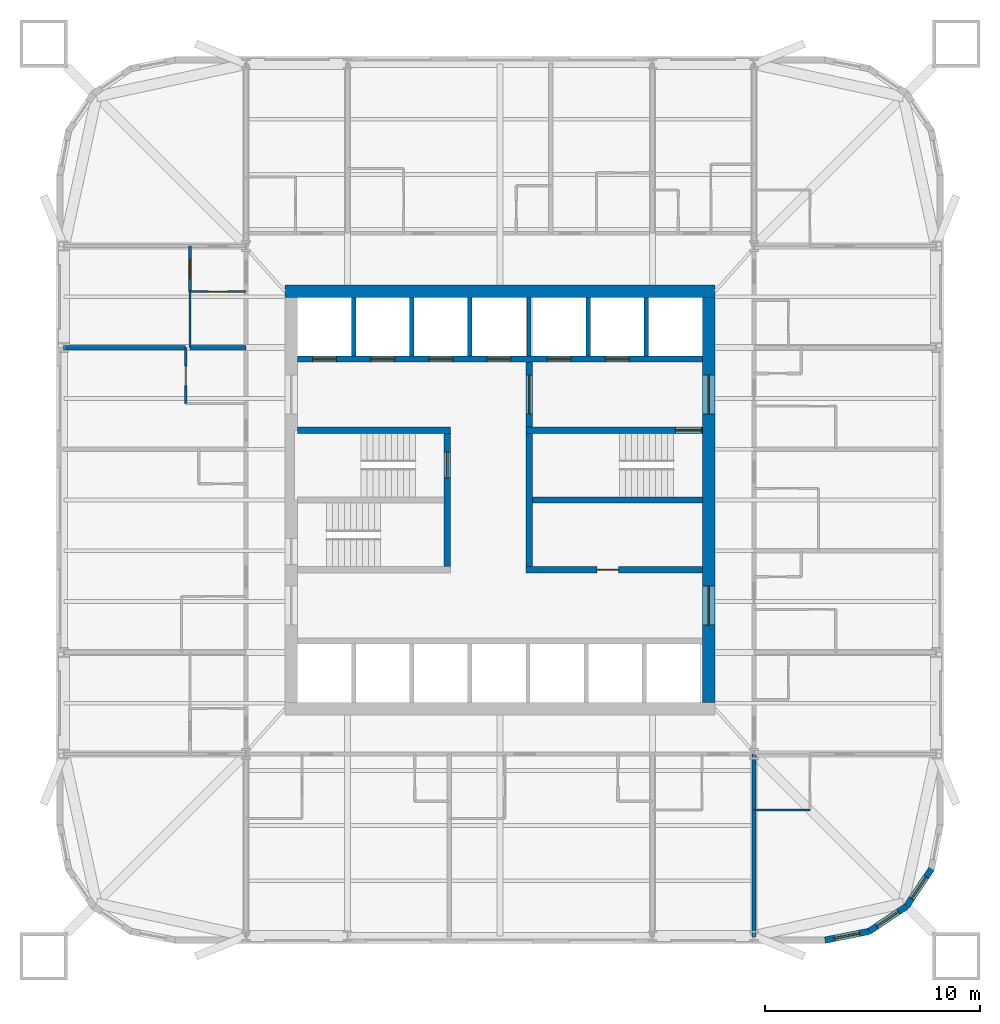
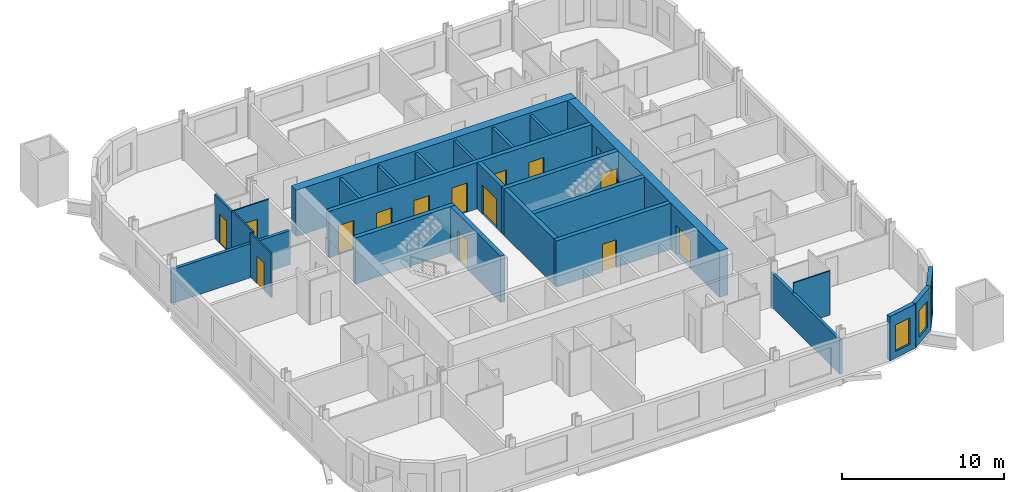
# One storey, part 4 of 8: 26 walls, 15 doors, 3 windows, 18 openings.
"""IFC4 building model written with IfcOpenShell, lengths in metres."""

from ifc_helpers import new_model, si_unit, direction, frame, frame_2d, origin, place, context, subcontext, project, spatial, rectangle, extrude, material, layer, layer_set, type_object, element, fill, save


model = new_model("IFC4")

# Units and contexts
model_context = context("Model", 3, precision=1e-05, world=origin(), true_north=direction((0.0, 1.0)))
body_context = subcontext(model_context, "Body", "Model", "MODEL_VIEW")
ifc_project = project(units=[si_unit("LENGTHUNIT", "METRE"), si_unit("AREAUNIT", "SQUARE_METRE"), si_unit("VOLUMEUNIT", "CUBIC_METRE"), si_unit("PLANEANGLEUNIT", "RADIAN"), si_unit("MASSUNIT", "GRAM", prefix="KILO")], contexts=[model_context])

# Site, building, storey
site_placement = place(None, origin())
site = spatial("IfcSite", under=ifc_project, at=site_placement, CompositionType="ELEMENT")
building_placement = place(site_placement, origin())
building = spatial("IfcBuilding", under=site, at=building_placement, Name="Turquesa Mirador Hotel Tower", CompositionType="ELEMENT")
storey_placement = place(building_placement, frame((0.0, 0.0, 103.89990234375)))
storey = spatial("IfcBuildingStorey", under=building, at=storey_placement, Name="L27", CompositionType="ELEMENT", Elevation=103.89990234375)

# Wall
ifc_material_1 = material(Name="Gypsum board on steel studs", Category="steel")
ifc_layer_1 = layer(ifc_material_1, 0.10009765625)
ifc_layer_set_1 = layer_set([ifc_layer_1], Name="BATHROOM WALL 100")
wall_type_1 = type_object("IfcWallType", Name="BATHROOM WALL 100", PredefinedType="PARTITIONING", material=ifc_layer_set_1)
wall_1_placement = place(storey_placement, frame((66.800048828125, 30.60009765625, 0.0), z_axis=(0.0, 0.0, 1.0), x_axis=(1.0, 0.0, 0.0)))
element("IfcWall", 1, at=wall_1_placement, inside=storey, type_object=wall_type_1, Name="Partition L27 008", PredefinedType="PARTITIONING", context=body_context, shape_type="SweptSolid", body=[
    extrude(rectangle(XDim=2.599853515625, YDim=0.10009765625, at=frame_2d((1.2998046875, 0.0))), origin(), (0.0, 0.0, 1.0), 3.330078125),
])

# Wall, opening, door
wall_2_placement = place(storey_placement, frame((40.60009765625, 54.679931640625, 0.0), z_axis=(0.0, 0.0, 1.0), x_axis=(1.0, 0.0, 0.0)))
wall_2 = element("IfcWall", 2, at=wall_2_placement, inside=storey, type_object=wall_type_1, Name="Partition L27 041", PredefinedType="PARTITIONING", context=body_context, shape_type="SweptSolid", body=[
    extrude(rectangle(XDim=2.599853515625, YDim=0.10009765625, at=frame_2d((1.2998046875, 0.0))), origin(), (0.0, 0.0, 1.0), 3.330078125),
])
opening_1_placement = place(wall_2_placement, frame((0.85009765625, 0.0, 0.0)))
opening_1 = element("IfcOpeningElement", 3, at=opening_1_placement, cuts=wall_2, Name="Opening D02", PredefinedType="OPENING", context=body_context, shape_type="SweptSolid", body=[
    extrude(rectangle(XDim=0.89990234375, YDim=2.10009765625, at=frame_2d((0.449951171875, 1.050048828125))), frame((0.0, 0.06005859375, 0.0), z_axis=(0.0, -1.0, 0.0), x_axis=(1.0, 0.0, 0.0)), (0.0, 0.0, 1.0), 0.1201171875),
])
ifc_material_2 = material(Name="Timber veneered door", Category="wood")
door_type_1 = type_object("IfcDoorType", Name="DOOR 900X2100 EN-SUITE", OperationType="SINGLE_SWING_RIGHT", PredefinedType="DOOR", material=ifc_material_2)
door_1_placement = place(opening_1_placement, origin())
door_1 = element("IfcDoor", 4, at=door_1_placement, inside=storey, type_object=door_type_1, Name="Door 2714B", OperationType="SINGLE_SWING_RIGHT", OverallHeight=2.10009765625, OverallWidth=0.89990234375, PredefinedType="DOOR", context=body_context, shape_type="SweptSolid", body=[
    extrude(rectangle(XDim=0.89990234375, YDim=2.10009765625, at=frame_2d((0.449951171875, 1.050048828125))), frame((0.0, 0.02490234375, 0.0), z_axis=(0.0, -1.0, 0.0), x_axis=(1.0, 0.0, 0.0)), (0.0, 0.0, 1.0), 0.050048828125),
])
fill(opening_1, door_1)

# Wall
wall_3_placement = place(storey_placement, frame((40.60009765625, 52.080078125, 0.0), z_axis=(0.0, 0.0, 1.0), x_axis=(0.0, 1.0, 0.0)))
element("IfcWall", 5, at=wall_3_placement, inside=storey, type_object=wall_type_1, Name="Partition L27 047", PredefinedType="PARTITIONING", context=body_context, shape_type="SweptSolid", body=[
    extrude(rectangle(XDim=2.599853515625, YDim=0.10009765625, at=frame_2d((1.2998046875, 0.0))), origin(), (0.0, 0.0, 1.0), 3.330078125),
])

# Wall, opening, door
wall_4_placement = place(storey_placement, frame((40.39990234375, 49.47998046875, 0.0), z_axis=(0.0, 0.0, 1.0), x_axis=(0.0, 1.0, 0.0)))
wall_4 = element("IfcWall", 6, at=wall_4_placement, inside=storey, type_object=wall_type_1, Name="Partition L27 050", PredefinedType="PARTITIONING", context=body_context, shape_type="SweptSolid", body=[
    extrude(rectangle(XDim=2.60009765625, YDim=0.10009765625, at=frame_2d((1.300048828125, 0.0))), origin(), (0.0, 0.0, 1.0), 3.330078125),
])
opening_2_placement = place(wall_4_placement, frame((0.85009765625, 0.0, 0.0)))
opening_2 = element("IfcOpeningElement", 7, at=opening_2_placement, cuts=wall_4, Name="Opening D02", PredefinedType="OPENING", context=body_context, shape_type="SweptSolid", body=[
    extrude(rectangle(XDim=0.89990234375, YDim=2.10009765625, at=frame_2d((0.449951171875, 1.050048828125))), frame((0.0, 0.06005859375, 0.0), z_axis=(0.0, -1.0, 0.0), x_axis=(1.0, 0.0, 0.0)), (0.0, 0.0, 1.0), 0.1201171875),
])
door_2_placement = place(opening_2_placement, origin())
door_2 = element("IfcDoor", 8, at=door_2_placement, inside=storey, type_object=door_type_1, Name="Door 2712B", OperationType="SINGLE_SWING_RIGHT", OverallHeight=2.10009765625, OverallWidth=0.89990234375, PredefinedType="DOOR", context=body_context, shape_type="SweptSolid", body=[
    extrude(rectangle(XDim=0.89990234375, YDim=2.10009765625, at=frame_2d((0.449951171875, 1.050048828125))), frame((0.0, 0.02490234375, 0.0), z_axis=(0.0, -1.0, 0.0), x_axis=(1.0, 0.0, 0.0)), (0.0, 0.0, 1.0), 0.050048828125),
])
fill(opening_2, door_2)

# Wall, openings, doors
ifc_material_3 = material(Name="Concrete C50/60", Category="concrete")
ifc_layer_2 = layer(ifc_material_3, 0.300048828125)
ifc_layer_set_2 = layer_set([ifc_layer_2], Name="CORE INNER WALL 300")
wall_type_2 = type_object("IfcWallType", Name="CORE INNER WALL 300", PredefinedType="SHEAR", material=ifc_layer_set_2)
wall_5_placement = place(storey_placement, frame((45.60009765625, 51.550048828125, 0.0), z_axis=(0.0, 0.0, 1.0), x_axis=(1.0, 0.0, 0.0)))
wall_5 = element("IfcWall", 9, at=wall_5_placement, inside=storey, type_object=wall_type_2, Name="Core wall NL", PredefinedType="SHEAR", context=body_context, shape_type="SweptSolid", body=[
    extrude(rectangle(XDim=18.7998046875, YDim=0.300048828125, at=frame_2d((9.39990234375, 0.0))), origin(), (0.0, 0.0, 1.0), 3.5),
])
opening_3_placement = place(wall_5_placement, frame((0.699951171875, 0.0, 0.0)))
opening_3 = element("IfcOpeningElement", 10, at=opening_3_placement, cuts=wall_5, Name="Opening LD", PredefinedType="OPENING", context=body_context, shape_type="SweptSolid", body=[
    extrude(rectangle(XDim=1.10009765625, YDim=2.199951171875, at=frame_2d((0.550048828125, 1.10009765625))), frame((0.0, 0.159912109375, 0.0), z_axis=(0.0, -1.0, 0.0), x_axis=(1.0, 0.0, 0.0)), (0.0, 0.0, 1.0), 0.320068359375),
])
opening_4_placement = place(wall_5_placement, frame((3.39990234375, 0.0, 0.0)))
opening_4 = element("IfcOpeningElement", 11, at=opening_4_placement, cuts=wall_5, Name="Opening LD", PredefinedType="OPENING", context=body_context, shape_type="SweptSolid", body=[
    extrude(rectangle(XDim=1.10009765625, YDim=2.199951171875, at=frame_2d((0.550048828125, 1.10009765625))), frame((0.0, 0.159912109375, 0.0), z_axis=(0.0, -1.0, 0.0), x_axis=(1.0, 0.0, 0.0)), (0.0, 0.0, 1.0), 0.320068359375),
])
opening_5_placement = place(wall_5_placement, frame((6.10009765625, 0.0, 0.0)))
opening_5 = element("IfcOpeningElement", 12, at=opening_5_placement, cuts=wall_5, Name="Opening LD", PredefinedType="OPENING", context=body_context, shape_type="SweptSolid", body=[
    extrude(rectangle(XDim=1.10009765625, YDim=2.199951171875, at=frame_2d((0.550048828125, 1.10009765625))), frame((0.0, 0.159912109375, 0.0), z_axis=(0.0, -1.0, 0.0), x_axis=(1.0, 0.0, 0.0)), (0.0, 0.0, 1.0), 0.320068359375),
])
opening_6_placement = place(wall_5_placement, frame((8.800048828125, 0.0, 0.0)))
opening_6 = element("IfcOpeningElement", 13, at=opening_6_placement, cuts=wall_5, Name="Opening LD", PredefinedType="OPENING", context=body_context, shape_type="SweptSolid", body=[
    extrude(rectangle(XDim=1.10009765625, YDim=2.199951171875, at=frame_2d((0.550048828125, 1.10009765625))), frame((0.0, 0.159912109375, 0.0), z_axis=(0.0, -1.0, 0.0), x_axis=(1.0, 0.0, 0.0)), (0.0, 0.0, 1.0), 0.320068359375),
])
opening_7_placement = place(wall_5_placement, frame((11.60009765625, 0.0, 0.0)))
opening_7 = element("IfcOpeningElement", 14, at=opening_7_placement, cuts=wall_5, Name="Opening LD", PredefinedType="OPENING", context=body_context, shape_type="SweptSolid", body=[
    extrude(rectangle(XDim=1.10009765625, YDim=2.199951171875, at=frame_2d((0.550048828125, 1.10009765625))), frame((0.0, 0.159912109375, 0.0), z_axis=(0.0, -1.0, 0.0), x_axis=(1.0, 0.0, 0.0)), (0.0, 0.0, 1.0), 0.320068359375),
])
opening_8_placement = place(wall_5_placement, frame((14.300048828125, 0.0, 0.0)))
opening_8 = element("IfcOpeningElement", 15, at=opening_8_placement, cuts=wall_5, Name="Opening LD", PredefinedType="OPENING", context=body_context, shape_type="SweptSolid", body=[
    extrude(rectangle(XDim=1.10009765625, YDim=2.199951171875, at=frame_2d((0.550048828125, 1.10009765625))), frame((0.0, 0.159912109375, 0.0), z_axis=(0.0, -1.0, 0.0), x_axis=(1.0, 0.0, 0.0)), (0.0, 0.0, 1.0), 0.320068359375),
])
ifc_material_4 = material(Name="Stainless steel lift landing door", Category="steel")
door_type_2 = type_object("IfcDoorType", Name="LIFT LANDING DOOR 1100X2200", OperationType="SLIDING_TO_LEFT", PredefinedType="DOOR", material=ifc_material_4)
door_3_placement = place(opening_3_placement, origin())
door_3 = element("IfcDoor", 16, at=door_3_placement, inside=storey, type_object=door_type_2, Name="Lift A1 landing door", OperationType="SLIDING_TO_LEFT", OverallHeight=2.199951171875, OverallWidth=1.10009765625, PredefinedType="DOOR", context=body_context, shape_type="SweptSolid", body=[
    extrude(rectangle(XDim=1.10009765625, YDim=2.199951171875, at=frame_2d((0.550048828125, 1.10009765625))), frame((0.0, 0.02490234375, 0.0), z_axis=(0.0, -1.0, 0.0), x_axis=(1.0, 0.0, 0.0)), (0.0, 0.0, 1.0), 0.050048828125),
])
fill(opening_3, door_3)
door_4_placement = place(opening_4_placement, origin())
door_4 = element("IfcDoor", 17, at=door_4_placement, inside=storey, type_object=door_type_2, Name="Lift A2 landing door", OperationType="SLIDING_TO_LEFT", OverallHeight=2.199951171875, OverallWidth=1.10009765625, PredefinedType="DOOR", context=body_context, shape_type="SweptSolid", body=[
    extrude(rectangle(XDim=1.10009765625, YDim=2.199951171875, at=frame_2d((0.550048828125, 1.10009765625))), frame((0.0, 0.02490234375, 0.0), z_axis=(0.0, -1.0, 0.0), x_axis=(1.0, 0.0, 0.0)), (0.0, 0.0, 1.0), 0.050048828125),
])
fill(opening_4, door_4)
door_5_placement = place(opening_5_placement, origin())
door_5 = element("IfcDoor", 18, at=door_5_placement, inside=storey, type_object=door_type_2, Name="Lift A3 landing door", OperationType="SLIDING_TO_LEFT", OverallHeight=2.199951171875, OverallWidth=1.10009765625, PredefinedType="DOOR", context=body_context, shape_type="SweptSolid", body=[
    extrude(rectangle(XDim=1.10009765625, YDim=2.199951171875, at=frame_2d((0.550048828125, 1.10009765625))), frame((0.0, 0.02490234375, 0.0), z_axis=(0.0, -1.0, 0.0), x_axis=(1.0, 0.0, 0.0)), (0.0, 0.0, 1.0), 0.050048828125),
])
fill(opening_5, door_5)
door_6_placement = place(opening_6_placement, origin())
door_6 = element("IfcDoor", 19, at=door_6_placement, inside=storey, type_object=door_type_2, Name="Lift A4 landing door", OperationType="SLIDING_TO_LEFT", OverallHeight=2.199951171875, OverallWidth=1.10009765625, PredefinedType="DOOR", context=body_context, shape_type="SweptSolid", body=[
    extrude(rectangle(XDim=1.10009765625, YDim=2.199951171875, at=frame_2d((0.550048828125, 1.10009765625))), frame((0.0, 0.02490234375, 0.0), z_axis=(0.0, -1.0, 0.0), x_axis=(1.0, 0.0, 0.0)), (0.0, 0.0, 1.0), 0.050048828125),
])
fill(opening_6, door_6)
door_7_placement = place(opening_7_placement, origin())
door_7 = element("IfcDoor", 20, at=door_7_placement, inside=storey, type_object=door_type_2, Name="Lift S1 landing door", OperationType="SLIDING_TO_LEFT", OverallHeight=2.199951171875, OverallWidth=1.10009765625, PredefinedType="DOOR", context=body_context, shape_type="SweptSolid", body=[
    extrude(rectangle(XDim=1.10009765625, YDim=2.199951171875, at=frame_2d((0.550048828125, 1.10009765625))), frame((0.0, 0.02490234375, 0.0), z_axis=(0.0, -1.0, 0.0), x_axis=(1.0, 0.0, 0.0)), (0.0, 0.0, 1.0), 0.050048828125),
])
fill(opening_7, door_7)
door_8_placement = place(opening_8_placement, origin())
door_8 = element("IfcDoor", 21, at=door_8_placement, inside=storey, type_object=door_type_2, Name="Lift S2 landing door", OperationType="SLIDING_TO_LEFT", OverallHeight=2.199951171875, OverallWidth=1.10009765625, PredefinedType="DOOR", context=body_context, shape_type="SweptSolid", body=[
    extrude(rectangle(XDim=1.10009765625, YDim=2.199951171875, at=frame_2d((0.550048828125, 1.10009765625))), frame((0.0, 0.02490234375, 0.0), z_axis=(0.0, -1.0, 0.0), x_axis=(1.0, 0.0, 0.0)), (0.0, 0.0, 1.0), 0.050048828125),
])
fill(opening_8, door_8)

# Wall
wall_6_placement = place(storey_placement, frame((45.60009765625, 48.25, 0.0), z_axis=(0.0, 0.0, 1.0), x_axis=(1.0, 0.0, 0.0)))
element("IfcWall", 22, at=wall_6_placement, inside=storey, type_object=wall_type_2, Name="Core wall MN-W", PredefinedType="SHEAR", context=body_context, shape_type="SweptSolid", body=[
    extrude(rectangle(XDim=7.099853515625, YDim=0.300048828125, at=frame_2d((3.5498046875, 0.0))), origin(), (0.0, 0.0, 1.0), 3.5),
])

# Wall, opening, door
wall_7_placement = place(storey_placement, frame((56.199951171875, 48.25, 0.0), z_axis=(0.0, 0.0, 1.0), x_axis=(1.0, 0.0, 0.0)))
wall_7 = element("IfcWall", 23, at=wall_7_placement, inside=storey, type_object=wall_type_2, Name="Core wall MN-E", PredefinedType="SHEAR", context=body_context, shape_type="SweptSolid", body=[
    extrude(rectangle(XDim=8.199951171875, YDim=0.300048828125, at=frame_2d((4.10009765625, 0.0))), origin(), (0.0, 0.0, 1.0), 3.5),
])
opening_9_placement = place(wall_7_placement, frame((6.949951171875, 0.0, 0.0)))
opening_9 = element("IfcOpeningElement", 24, at=opening_9_placement, cuts=wall_7, Name="Opening D03", PredefinedType="OPENING", context=body_context, shape_type="SweptSolid", body=[
    extrude(rectangle(XDim=1.199951171875, YDim=2.199951171875, at=frame_2d((0.60009765625, 1.10009765625))), frame((0.0, 0.159912109375, 0.0), z_axis=(0.0, -1.0, 0.0), x_axis=(1.0, 0.0, 0.0)), (0.0, 0.0, 1.0), 0.320068359375),
])
ifc_material_5 = material(Name="Steel fire door", Category="steel")
door_type_3 = type_object("IfcDoorType", Name="DOOR 1200X2200 STAIR", OperationType="SINGLE_SWING_LEFT", PredefinedType="DOOR", material=ifc_material_5)
door_9_placement = place(opening_9_placement, origin())
door_9 = element("IfcDoor", 25, at=door_9_placement, inside=storey, type_object=door_type_3, Name="Stair ST3 door", OperationType="SINGLE_SWING_LEFT", OverallHeight=2.199951171875, OverallWidth=1.199951171875, PredefinedType="DOOR", context=body_context, shape_type="SweptSolid", body=[
    extrude(rectangle(XDim=1.199951171875, YDim=2.199951171875, at=frame_2d((0.60009765625, 1.10009765625))), frame((0.0, 0.02490234375, 0.0), z_axis=(0.0, -1.0, 0.0), x_axis=(1.0, 0.0, 0.0)), (0.0, 0.0, 1.0), 0.050048828125),
])
fill(opening_9, door_9)

wall_8_placement = place(storey_placement, frame((56.199951171875, 41.75, 0.0), z_axis=(0.0, 0.0, 1.0), x_axis=(1.0, 0.0, 0.0)))
wall_8 = element("IfcWall", 26, at=wall_8_placement, inside=storey, type_object=wall_type_2, Name="Core wall MS-E", PredefinedType="SHEAR", context=body_context, shape_type="SweptSolid", body=[
    extrude(rectangle(XDim=8.199951171875, YDim=0.300048828125, at=frame_2d((4.10009765625, 0.0))), origin(), (0.0, 0.0, 1.0), 3.5),
])
opening_10_placement = place(wall_8_placement, frame((3.300048828125, 0.0, 0.0)))
opening_10 = element("IfcOpeningElement", 27, at=opening_10_placement, cuts=wall_8, Name="Opening D05", PredefinedType="OPENING", context=body_context, shape_type="SweptSolid", body=[
    extrude(rectangle(XDim=1.0, YDim=2.10009765625, at=frame_2d((0.5, 1.050048828125))), frame((0.0, 0.159912109375, 0.0), z_axis=(0.0, -1.0, 0.0), x_axis=(1.0, 0.0, 0.0)), (0.0, 0.0, 1.0), 0.320068359375),
])
ifc_material_6 = material(Name="Steel fire door", Category="steel")
door_type_4 = type_object("IfcDoorType", Name="DOOR 1000X2100 SERVICE", OperationType="SINGLE_SWING_LEFT", PredefinedType="DOOR", material=ifc_material_6)
door_10_placement = place(opening_10_placement, origin())
door_10 = element("IfcDoor", 28, at=door_10_placement, inside=storey, type_object=door_type_4, Name="Housekeeping room door", OperationType="SINGLE_SWING_LEFT", OverallHeight=2.10009765625, OverallWidth=1.0, PredefinedType="DOOR", context=body_context, shape_type="SweptSolid", body=[
    extrude(rectangle(XDim=1.0, YDim=2.10009765625, at=frame_2d((0.5, 1.050048828125))), frame((0.0, 0.02490234375, 0.0), z_axis=(0.0, -1.0, 0.0), x_axis=(1.0, 0.0, 0.0)), (0.0, 0.0, 1.0), 0.050048828125),
])
fill(opening_10, door_10)

wall_9_placement = place(storey_placement, frame((52.550048828125, 41.89990234375, 0.0), z_axis=(0.0, 0.0, 1.0), x_axis=(0.0, 1.0, 0.0)))
wall_9 = element("IfcWall", 29, at=wall_9_placement, inside=storey, type_object=wall_type_2, Name="Core wall PW", PredefinedType="SHEAR", context=body_context, shape_type="SweptSolid", body=[
    extrude(rectangle(XDim=6.2001953125, YDim=0.300048828125, at=frame_2d((3.10009765625, 0.0))), origin(), (0.0, 0.0, 1.0), 3.5),
])
opening_11_placement = place(wall_9_placement, frame((4.125, 0.0, 0.0)))
opening_11 = element("IfcOpeningElement", 30, at=opening_11_placement, cuts=wall_9, Name="Opening D03", PredefinedType="OPENING", context=body_context, shape_type="SweptSolid", body=[
    extrude(rectangle(XDim=1.199951171875, YDim=2.199951171875, at=frame_2d((0.60009765625, 1.10009765625))), frame((0.0, 0.159912109375, 0.0), z_axis=(0.0, -1.0, 0.0), x_axis=(1.0, 0.0, 0.0)), (0.0, 0.0, 1.0), 0.320068359375),
])
door_11_placement = place(opening_11_placement, origin())
door_11 = element("IfcDoor", 31, at=door_11_placement, inside=storey, type_object=door_type_3, Name="Stair ST1 door", OperationType="SINGLE_SWING_LEFT", OverallHeight=2.199951171875, OverallWidth=1.199951171875, PredefinedType="DOOR", context=body_context, shape_type="SweptSolid", body=[
    extrude(rectangle(XDim=1.199951171875, YDim=2.199951171875, at=frame_2d((0.60009765625, 1.10009765625))), frame((0.0, 0.02490234375, 0.0), z_axis=(0.0, -1.0, 0.0), x_axis=(1.0, 0.0, 0.0)), (0.0, 0.0, 1.0), 0.050048828125),
])
fill(opening_11, door_11)

wall_10_placement = place(storey_placement, frame((56.35009765625, 41.89990234375, 0.0), z_axis=(0.0, 0.0, 1.0), x_axis=(0.0, 1.0, 0.0)))
wall_10 = element("IfcWall", 32, at=wall_10_placement, inside=storey, type_object=wall_type_2, Name="Core wall PE", PredefinedType="SHEAR", context=body_context, shape_type="SweptSolid", body=[
    extrude(rectangle(XDim=9.5, YDim=0.300048828125, at=frame_2d((4.75, 0.0))), origin(), (0.0, 0.0, 1.0), 3.5),
])
opening_12_placement = place(wall_10_placement, frame((7.10009765625, 0.0, 0.0)))
opening_12 = element("IfcOpeningElement", 33, at=opening_12_placement, cuts=wall_10, Name="Opening D04", PredefinedType="OPENING", context=body_context, shape_type="SweptSolid", body=[
    extrude(rectangle(XDim=1.800048828125, YDim=2.199951171875, at=frame_2d((0.89990234375, 1.10009765625))), frame((0.0, 0.159912109375, 0.0), z_axis=(0.0, -1.0, 0.0), x_axis=(1.0, 0.0, 0.0)), (0.0, 0.0, 1.0), 0.320068359375),
])
ifc_material_7 = material(Name="Steel fire door pair", Category="steel")
door_type_5 = type_object("IfcDoorType", Name="DOOR 1800X2200 PAIR", OperationType="DOUBLE_DOOR_SINGLE_SWING", PredefinedType="DOOR", material=ifc_material_7)
door_12_placement = place(opening_12_placement, origin())
door_12 = element("IfcDoor", 34, at=door_12_placement, inside=storey, type_object=door_type_5, Name="Firefighting lobby inner door", OperationType="DOUBLE_DOOR_SINGLE_SWING", OverallHeight=2.199951171875, OverallWidth=1.800048828125, PredefinedType="DOOR", context=body_context, shape_type="SweptSolid", body=[
    extrude(rectangle(XDim=1.800048828125, YDim=2.199951171875, at=frame_2d((0.89990234375, 1.10009765625))), frame((0.0, 0.02490234375, 0.0), z_axis=(0.0, -1.0, 0.0), x_axis=(1.0, 0.0, 0.0)), (0.0, 0.0, 1.0), 0.050048828125),
])
fill(opening_12, door_12)

# Walls
wall_11_placement = place(storey_placement, frame((56.5, 45.0, 0.0), z_axis=(0.0, 0.0, 1.0), x_axis=(1.0, 0.0, 0.0)))
element("IfcWall", 35, at=wall_11_placement, inside=storey, type_object=wall_type_2, Name="Core wall M0-E", PredefinedType="SHEAR", context=body_context, shape_type="SweptSolid", body=[
    extrude(rectangle(XDim=7.89990234375, YDim=0.300048828125, at=frame_2d((3.949951171875, 0.0))), origin(), (0.0, 0.0, 1.0), 3.5),
])
ifc_material_8 = material(Name="Concrete C50/60", Category="concrete")
ifc_layer_3 = layer(ifc_material_8, 0.60009765625)
ifc_layer_set_3 = layer_set([ifc_layer_3], Name="CORE WALL 600")
wall_type_3 = type_object("IfcWallType", Name="CORE WALL 600", PredefinedType="SHEAR", material=ifc_layer_set_3)
wall_12_placement = place(storey_placement, frame((45.0, 54.699951171875, 0.0), z_axis=(0.0, 0.0, 1.0), x_axis=(1.0, 0.0, 0.0)))
element("IfcWall", 36, at=wall_12_placement, inside=storey, type_object=wall_type_3, Name="Core wall N", PredefinedType="SHEAR", context=body_context, shape_type="SweptSolid", body=[
    extrude(rectangle(XDim=20.0, YDim=0.60009765625, at=frame_2d((10.0, 0.0))), origin(), (0.0, 0.0, 1.0), 3.5),
])

# Wall, openings, doors
wall_13_placement = place(storey_placement, frame((64.699951171875, 35.60009765625, 0.0), z_axis=(0.0, 0.0, 1.0), x_axis=(0.0, 1.0, 0.0)))
wall_13 = element("IfcWall", 37, at=wall_13_placement, inside=storey, type_object=wall_type_3, Name="Core wall E", PredefinedType="SHEAR", context=body_context, shape_type="SweptSolid", body=[
    extrude(rectangle(XDim=18.7998046875, YDim=0.60009765625, at=frame_2d((9.39990234375, 0.0))), origin(), (0.0, 0.0, 1.0), 3.5),
])
opening_13_placement = place(wall_13_placement, frame((13.39990234375, 0.0, 0.0)))
opening_13 = element("IfcOpeningElement", 38, at=opening_13_placement, cuts=wall_13, Name="Opening D04", PredefinedType="OPENING", context=body_context, shape_type="SweptSolid", body=[
    extrude(rectangle(XDim=1.800048828125, YDim=2.199951171875, at=frame_2d((0.89990234375, 1.10009765625))), frame((0.0, 0.31005859375, 0.0), z_axis=(0.0, -1.0, 0.0), x_axis=(1.0, 0.0, 0.0)), (0.0, 0.0, 1.0), 0.6201171875),
])
opening_14_placement = place(wall_13_placement, frame((3.60009765625, 0.0, 0.0)))
opening_14 = element("IfcOpeningElement", 39, at=opening_14_placement, cuts=wall_13, Name="Opening D04", PredefinedType="OPENING", context=body_context, shape_type="SweptSolid", body=[
    extrude(rectangle(XDim=1.800048828125, YDim=2.199951171875, at=frame_2d((0.89990234375, 1.10009765625))), frame((0.0, 0.31005859375, 0.0), z_axis=(0.0, -1.0, 0.0), x_axis=(1.0, 0.0, 0.0)), (0.0, 0.0, 1.0), 0.6201171875),
])
door_13_placement = place(opening_13_placement, origin())
door_13 = element("IfcDoor", 40, at=door_13_placement, inside=storey, type_object=door_type_5, Name="Firefighting lobby door", OperationType="DOUBLE_DOOR_SINGLE_SWING", OverallHeight=2.199951171875, OverallWidth=1.800048828125, PredefinedType="DOOR", context=body_context, shape_type="SweptSolid", body=[
    extrude(rectangle(XDim=1.800048828125, YDim=2.199951171875, at=frame_2d((0.89990234375, 1.10009765625))), frame((0.0, 0.02490234375, 0.0), z_axis=(0.0, -1.0, 0.0), x_axis=(1.0, 0.0, 0.0)), (0.0, 0.0, 1.0), 0.050048828125),
])
fill(opening_13, door_13)
door_14_placement = place(opening_14_placement, origin())
door_14 = element("IfcDoor", 41, at=door_14_placement, inside=storey, type_object=door_type_5, Name="South lift lobby door", OperationType="DOUBLE_DOOR_SINGLE_SWING", OverallHeight=2.199951171875, OverallWidth=1.800048828125, PredefinedType="DOOR", context=body_context, shape_type="SweptSolid", body=[
    extrude(rectangle(XDim=1.800048828125, YDim=2.199951171875, at=frame_2d((0.89990234375, 1.10009765625))), frame((0.0, 0.02490234375, 0.0), z_axis=(0.0, -1.0, 0.0), x_axis=(1.0, 0.0, 0.0)), (0.0, 0.0, 1.0), 0.050048828125),
])
fill(opening_14, door_14)

# Wall, opening, window
ifc_material_9 = material(Name="Limestone cladding on concrete block", Category="masonry")
ifc_layer_4 = layer(ifc_material_9, 0.300048828125)
ifc_layer_set_4 = layer_set([ifc_layer_4], Name="FACADE WALL 300 STONE SCREEN")
wall_type_4 = type_object("IfcWallType", Name="FACADE WALL 300 STONE SCREEN", PredefinedType="SOLIDWALL", material=ifc_layer_set_4)
wall_14_placement = place(storey_placement, frame((70.10009765625, 24.550048828125, 0.0), z_axis=(0.0, 0.0, 1.0), x_axis=(0.980787050784, 0.195081421501, 0.0)))
wall_14 = element("IfcWall", 42, at=wall_14_placement, inside=storey, type_object=wall_type_4, Name="Facade wall L27 00", PredefinedType="SOLIDWALL", context=body_context, shape_type="SweptSolid", body=[
    extrude(rectangle(XDim=2.08740234375, YDim=0.300048828125, at=frame_2d((1.043701171875, 0.0))), origin(), (0.0, 0.0, 1.0), 3.330078125),
])
opening_15_placement = place(wall_14_placement, frame((0.443603515625, 0.0, 0.5)))
opening_15 = element("IfcOpeningElement", 43, at=opening_15_placement, cuts=wall_14, Name="Opening WN4", PredefinedType="OPENING", context=body_context, shape_type="SweptSolid", body=[
    extrude(rectangle(XDim=1.199951171875, YDim=2.0, at=frame_2d((0.60009765625, 1.0))), frame((0.0, 0.159912109375, 0.0), z_axis=(0.0, -1.0, 0.0), x_axis=(1.0, 0.0, 0.0)), (0.0, 0.0, 1.0), 0.320068359375),
])
ifc_material_10 = material(Name="Ceramic-fritted laminated glass", Category="glass")
window_type = type_object("IfcWindowType", Name="FRITTED CORNER WINDOW 1200X2000", PartitioningType="DOUBLE_PANEL_HORIZONTAL", PredefinedType="WINDOW", material=ifc_material_10)
window_1_placement = place(opening_15_placement, origin())
window_1 = element("IfcWindow", 44, at=window_1_placement, inside=storey, type_object=window_type, Name="Window L27", OverallHeight=2.0, OverallWidth=1.199951171875, PartitioningType="SINGLE_PANEL", PredefinedType="WINDOW", context=body_context, shape_type="SweptSolid", body=[
    extrude(rectangle(XDim=1.199951171875, YDim=2.0, at=frame_2d((0.60009765625, 1.0))), frame((0.0, 0.030029296875, 0.0), z_axis=(0.0, -1.0, 0.0), x_axis=(1.0, 0.0, 0.0)), (0.0, 0.0, 1.0), 0.06005859375),
])
fill(opening_15, window_1)

wall_15_placement = place(storey_placement, frame((72.1474609375, 24.957275390625, 0.0), z_axis=(0.0, 0.0, 1.0), x_axis=(0.831474039234, 0.555563607591, 0.0)))
wall_15 = element("IfcWall", 45, at=wall_15_placement, inside=storey, type_object=wall_type_4, Name="Facade wall L27 01", PredefinedType="SOLIDWALL", context=body_context, shape_type="SweptSolid", body=[
    extrude(rectangle(XDim=2.08740234375, YDim=0.300048828125, at=frame_2d((1.043701171875, 0.0))), origin(), (0.0, 0.0, 1.0), 3.330078125),
])
opening_16_placement = place(wall_15_placement, frame((0.443603515625, 0.0, 0.5)))
opening_16 = element("IfcOpeningElement", 46, at=opening_16_placement, cuts=wall_15, Name="Opening WN4", PredefinedType="OPENING", context=body_context, shape_type="SweptSolid", body=[
    extrude(rectangle(XDim=1.199951171875, YDim=2.0, at=frame_2d((0.60009765625, 1.0))), frame((0.0, 0.159912109375, 0.0), z_axis=(0.0, -1.0, 0.0), x_axis=(1.0, 0.0, 0.0)), (0.0, 0.0, 1.0), 0.320068359375),
])
window_2_placement = place(opening_16_placement, origin())
window_2 = element("IfcWindow", 47, at=window_2_placement, inside=storey, type_object=window_type, Name="Window L27", OverallHeight=2.0, OverallWidth=1.199951171875, PartitioningType="SINGLE_PANEL", PredefinedType="WINDOW", context=body_context, shape_type="SweptSolid", body=[
    extrude(rectangle(XDim=1.199951171875, YDim=2.0, at=frame_2d((0.60009765625, 1.0))), frame((0.0, 0.030029296875, 0.0), z_axis=(0.0, -1.0, 0.0), x_axis=(1.0, 0.0, 0.0)), (0.0, 0.0, 1.0), 0.06005859375),
])
fill(opening_16, window_2)

wall_16_placement = place(storey_placement, frame((73.883056640625, 26.116943359375, 0.0), z_axis=(0.0, 0.0, 1.0), x_axis=(0.555563607591, 0.831474039234, 0.0)))
wall_16 = element("IfcWall", 48, at=wall_16_placement, inside=storey, type_object=wall_type_4, Name="Facade wall L27 02", PredefinedType="SOLIDWALL", context=body_context, shape_type="SweptSolid", body=[
    extrude(rectangle(XDim=2.08740234375, YDim=0.300048828125, at=frame_2d((1.043701171875, 0.0))), origin(), (0.0, 0.0, 1.0), 3.330078125),
])
opening_17_placement = place(wall_16_placement, frame((0.443603515625, 0.0, 0.5)))
opening_17 = element("IfcOpeningElement", 49, at=opening_17_placement, cuts=wall_16, Name="Opening WN4", PredefinedType="OPENING", context=body_context, shape_type="SweptSolid", body=[
    extrude(rectangle(XDim=1.199951171875, YDim=2.0, at=frame_2d((0.60009765625, 1.0))), frame((0.0, 0.159912109375, 0.0), z_axis=(0.0, -1.0, 0.0), x_axis=(1.0, 0.0, 0.0)), (0.0, 0.0, 1.0), 0.320068359375),
])
window_3_placement = place(opening_17_placement, origin())
window_3 = element("IfcWindow", 50, at=window_3_placement, inside=storey, type_object=window_type, Name="Window L27", OverallHeight=2.0, OverallWidth=1.199951171875, PartitioningType="SINGLE_PANEL", PredefinedType="WINDOW", context=body_context, shape_type="SweptSolid", body=[
    extrude(rectangle(XDim=1.199951171875, YDim=2.0, at=frame_2d((0.60009765625, 1.0))), frame((0.0, 0.030029296875, 0.0), z_axis=(0.0, -1.0, 0.0), x_axis=(1.0, 0.0, 0.0)), (0.0, 0.0, 1.0), 0.06005859375),
])
fill(opening_17, window_3)

# Walls
ifc_material_11 = material(Name="Fire-rated gypsum shaft wall on steel studs", Category="steel")
ifc_layer_5 = layer(ifc_material_11, 0.199951171875)
ifc_layer_set_5 = layer_set([ifc_layer_5], Name="LIFT SHAFT DIVIDER 200")
wall_type_5 = type_object("IfcWallType", Name="LIFT SHAFT DIVIDER 200", PredefinedType="PARTITIONING", material=ifc_layer_set_5)
for number, where, z_axis, x_axis, name in (
    (51, (48.199951171875, 51.699951171875, 0.0), (0.0, 0.0, 1.0), (0.0, 1.0, 0.0), "Lift shaft divider"),
    (52, (50.89990234375, 51.699951171875, 0.0), (0.0, 0.0, 1.0), (0.0, 1.0, 0.0), "Lift shaft divider"),
    (53, (53.60009765625, 51.699951171875, 0.0), (0.0, 0.0, 1.0), (0.0, 1.0, 0.0), "Lift shaft divider"),
    (54, (59.10009765625, 51.699951171875, 0.0), (0.0, 0.0, 1.0), (0.0, 1.0, 0.0), "Lift shaft divider"),
    (55, (61.800048828125, 51.699951171875, 0.0), (0.0, 0.0, 1.0), (0.0, 1.0, 0.0), "Lift shaft divider"),
    (56, (56.35009765625, 51.699951171875, 0.0), (0.0, 0.0, 1.0), (0.0, 1.0, 0.0), "Lift shaft divider"),
):
    element("IfcWall", number, at=place(storey_placement, frame(where, z_axis=z_axis, x_axis=x_axis)), inside=storey, type_object=wall_type_5, Name=name, PredefinedType="PARTITIONING", context=body_context, shape_type="SweptSolid", body=[
        extrude(rectangle(XDim=2.699951171875, YDim=0.199951171875, at=frame_2d((1.35009765625, 0.0))), origin(), (0.0, 0.0, 1.0), 3.330078125),
    ])
ifc_material_12 = material(Name="Fire-rated gypsum board on steel studs", Category="steel")
ifc_layer_6 = layer(ifc_material_12, 0.199951171875)
ifc_layer_set_6 = layer_set([ifc_layer_6], Name="PARTY WALL 200")
wall_type_6 = type_object("IfcWallType", Name="PARTY WALL 200", PredefinedType="PARTITIONING", material=ifc_layer_set_6)
wall_17_placement = place(storey_placement, frame((34.699951171875, 52.080078125, 0.0), z_axis=(0.0, 0.0, 1.0), x_axis=(1.0, 0.0, 0.0)))
element("IfcWall", 57, at=wall_17_placement, inside=storey, type_object=wall_type_6, Name="Partition L27 037", PredefinedType="PARTITIONING", context=body_context, shape_type="SweptSolid", body=[
    extrude(rectangle(XDim=5.699951171875, YDim=0.199951171875, at=frame_2d((2.85009765625, 0.0))), origin(), (0.0, 0.0, 1.0), 2.5732421875),
])
wall_18_placement = place(storey_placement, frame((40.60009765625, 52.080078125, 0.0), z_axis=(0.0, 0.0, 1.0), x_axis=(1.0, 0.0, 0.0)))
element("IfcWall", 58, at=wall_18_placement, inside=storey, type_object=wall_type_6, Name="Partition L27 038", PredefinedType="PARTITIONING", context=body_context, shape_type="SweptSolid", body=[
    extrude(rectangle(XDim=2.599853515625, YDim=0.199951171875, at=frame_2d((1.2998046875, 0.0))), origin(), (0.0, 0.0, 1.0), 2.5732421875),
])
wall_19_placement = place(storey_placement, frame((66.800048828125, 24.699951171875, 0.0), z_axis=(0.0, 0.0, 1.0), x_axis=(0.0, 1.0, 0.0)))
element("IfcWall", 59, at=wall_19_placement, inside=storey, type_object=wall_type_6, Name="Partition L27 061", PredefinedType="PARTITIONING", context=body_context, shape_type="SweptSolid", body=[
    extrude(rectangle(XDim=8.5, YDim=0.199951171875, at=frame_2d((4.25, 0.0))), origin(), (0.0, 0.0, 1.0), 2.5732421875),
])

# Wall, opening, door
ifc_material_13 = material(Name="Acoustic gypsum board on steel studs", Category="steel")
ifc_layer_7 = layer(ifc_material_13, 0.125)
ifc_layer_set_7 = layer_set([ifc_layer_7], Name="SUITE PARTITION 125")
wall_type_7 = type_object("IfcWallType", Name="SUITE PARTITION 125", PredefinedType="PARTITIONING", material=ifc_layer_set_7)
wall_20_placement = place(storey_placement, frame((40.60009765625, 54.679931640625, 0.0), z_axis=(0.0, 0.0, 1.0), x_axis=(0.0, 1.0, 0.0)))
wall_20 = element("IfcWall", 60, at=wall_20_placement, inside=storey, type_object=wall_type_7, Name="Partition L27 049", PredefinedType="PARTITIONING", context=body_context, shape_type="SweptSolid", body=[
    extrude(rectangle(XDim=2.1201171875, YDim=0.125, at=frame_2d((1.06005859375, 0.0))), origin(), (0.0, 0.0, 1.0), 3.330078125),
])
opening_18_placement = place(wall_20_placement, frame((0.610107421875, 0.0, 0.0)))
opening_18 = element("IfcOpeningElement", 61, at=opening_18_placement, cuts=wall_20, Name="Opening D17", PredefinedType="OPENING", context=body_context, shape_type="SweptSolid", body=[
    extrude(rectangle(XDim=0.89990234375, YDim=2.199951171875, at=frame_2d((0.449951171875, 1.10009765625))), frame((0.0, 0.072509765625, 0.0), z_axis=(0.0, -1.0, 0.0), x_axis=(1.0, 0.0, 0.0)), (0.0, 0.0, 1.0), 0.14501953125),
])
ifc_material_14 = material(Name="Timber veneered door", Category="wood")
door_type_6 = type_object("IfcDoorType", Name="DOOR 900X2200 SUITE INTERNAL", OperationType="SINGLE_SWING_LEFT", PredefinedType="DOOR", material=ifc_material_14)
door_15_placement = place(opening_18_placement, origin())
door_15 = element("IfcDoor", 62, at=door_15_placement, inside=storey, type_object=door_type_6, Name="Door 2714R", OperationType="SINGLE_SWING_LEFT", OverallHeight=2.199951171875, OverallWidth=0.89990234375, PredefinedType="DOOR", context=body_context, shape_type="SweptSolid", body=[
    extrude(rectangle(XDim=0.89990234375, YDim=2.199951171875, at=frame_2d((0.449951171875, 1.10009765625))), frame((0.0, 0.02490234375, 0.0), z_axis=(0.0, -1.0, 0.0), x_axis=(1.0, 0.0, 0.0)), (0.0, 0.0, 1.0), 0.050048828125),
])
fill(opening_18, door_15)

save(model, "model.ifc")
